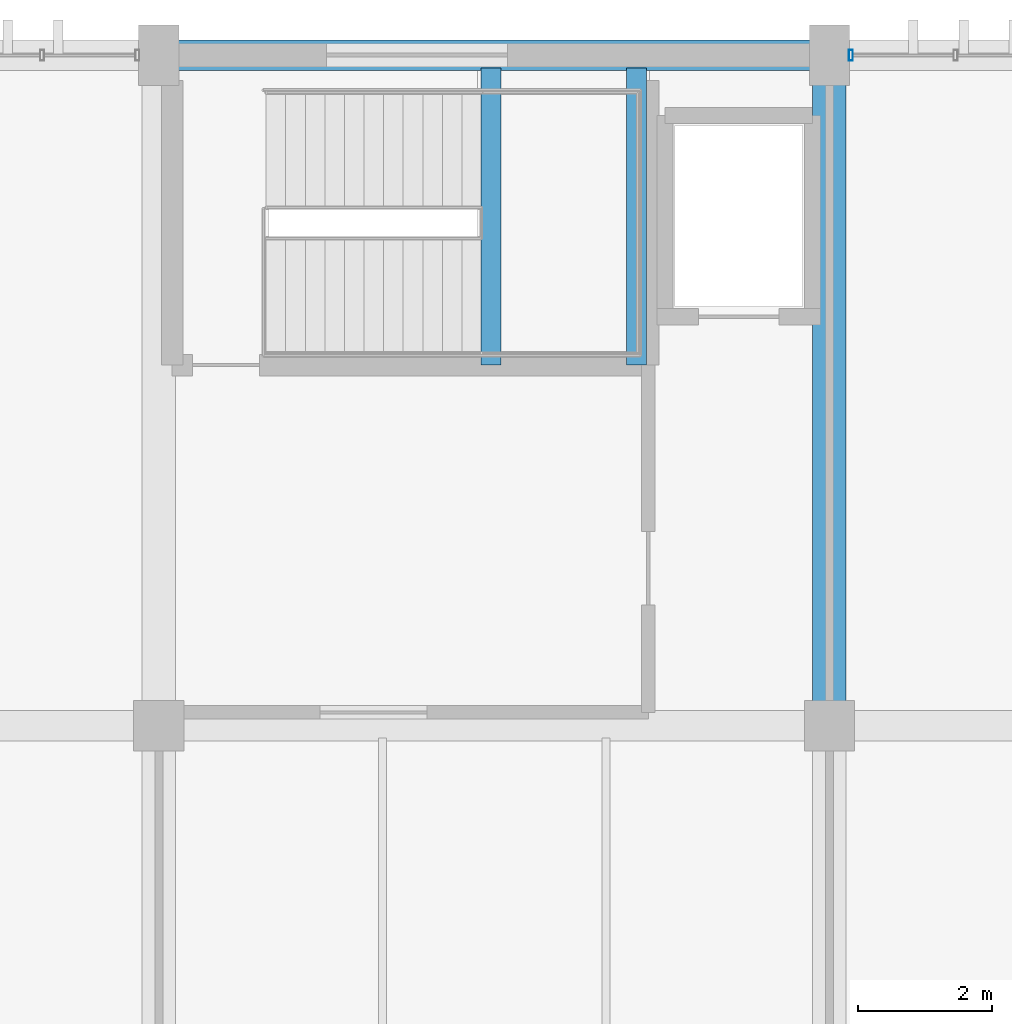
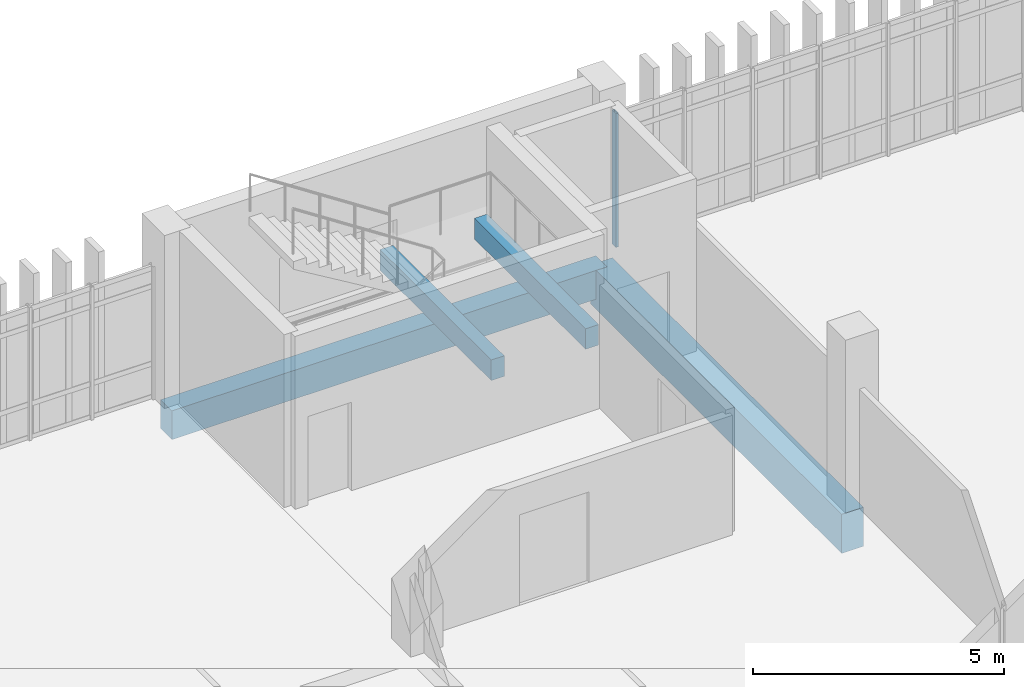
# One storey, part 54 of 111: 4 beams, 1 member, 1 element without a shape of its own.
"""IFC4 building model written with IfcOpenShell, lengths in metres."""

from ifc_helpers import new_model, si_unit, direction, frame, origin, origin_2d, place, context, subcontext, project, spatial, rectangle, hollow_rectangle, extrude, material, layer, layer_set, material_profile, profile_set, type_object, element, aggregate, save


model = new_model("IFC4")

# Units and contexts
model_context = context("Model", 3, precision=1e-05, world=origin(), true_north=direction((0.0, 1.0)))
body_context = subcontext(model_context, "Body", "Model", "MODEL_VIEW")
ifc_project = project(units=[si_unit("LENGTHUNIT", "METRE"), si_unit("AREAUNIT", "SQUARE_METRE"), si_unit("VOLUMEUNIT", "CUBIC_METRE"), si_unit("PLANEANGLEUNIT", "RADIAN"), si_unit("MASSUNIT", "GRAM", prefix="KILO")], contexts=[model_context])

# Site, building, storey
site_placement = place(None, origin())
site = spatial("IfcSite", under=ifc_project, at=site_placement, CompositionType="ELEMENT")
building_placement = place(site_placement, origin())
building = spatial("IfcBuilding", under=site, at=building_placement, Name="Mersad Railyard Sports Hall", CompositionType="ELEMENT")
storey_placement = place(building_placement, frame((0.0, 0.0, 9.0)))
storey = spatial("IfcBuildingStorey", under=building, at=storey_placement, Name="L02", CompositionType="ELEMENT", Elevation=9.0)

# Curtain wall, member
ifc_material_1 = material(Name="Aluminium 6063-T6", Category="aluminium")
ifc_layer = layer(ifc_material_1, 0.159912109375)
ifc_layer_set = layer_set([ifc_layer], Name="Aluminium 6063-T6")
curtain_wall_type = type_object("IfcCurtainWallType", Name="ARC-CW-CW53", PredefinedType="USERDEFINED", material=ifc_layer_set)
curtain_wall_placement = place(storey_placement, origin())
curtain_wall = element("IfcCurtainWall", 1, at=curtain_wall_placement, inside=storey, type_object=curtain_wall_type, Name="Curtain wall CW53-0141", ObjectType="CURTAIN WALL", PredefinedType="USERDEFINED")
ifc_material_profile_1 = material_profile(ifc_material_1, hollow_rectangle(XDim=0.06005859375, YDim=0.159912109375, WallThickness=0.00390625, at=origin_2d()), Name="AL MULLION 60x160x4")
ifc_profile_set_1 = profile_set([ifc_material_profile_1], Name="Aluminium 6063-T6")
member_type = type_object("IfcMemberType", Name="ARC-CW-MUL01", PredefinedType="MULLION", material=ifc_profile_set_1)
member_placement = place(storey_placement, frame((101.320068359375, 115.0, -0.02001953125), z_axis=(0.0, 0.0, 1.0), x_axis=(1.0, 0.0, 0.0)))
member = element("IfcMember", 2, at=member_placement, type_object=member_type, Name="CW53 Mullion 1", PredefinedType="MULLION", context=body_context, shape_type="SweptSolid", body=[
    extrude(hollow_rectangle(XDim=0.06005859375, YDim=0.159912109375, WallThickness=0.00390625, at=origin_2d()), origin(), (0.0, 0.0, 1.0), 3.25),
])
aggregate(curtain_wall, [member])

# Beams
ifc_material_2 = material(Name="Concrete C50/60", Category="concrete")
ifc_material_profile_2 = material_profile(ifc_material_2, rectangle(XDim=0.5, YDim=0.949951171875, at=origin_2d()), Name="RC 500x950")
ifc_profile_set_2 = profile_set([ifc_material_profile_2], Name="Concrete C50/60")
beam_type_1 = type_object("IfcBeamType", Name="STR-BM-B03", PredefinedType="BEAM", material=ifc_profile_set_2)
beam_1_placement = place(storey_placement, frame((101.0, 105.0, -0.77490234375), z_axis=(0.0, 1.0, 0.0), x_axis=(-1.0, 0.0, 0.0)))
element("IfcBeam", 3, at=beam_1_placement, inside=storey, type_object=beam_type_1, Name="Beam B03-1114", PredefinedType="BEAM", context=body_context, shape_type="SweptSolid", body=[
    extrude(rectangle(XDim=0.5, YDim=0.949951171875, at=origin_2d()), origin(), (0.0, 0.0, 1.0), 10.0),
])
ifc_material_3 = material(Name="Concrete C40/50", Category="concrete")
ifc_material_profile_3 = material_profile(ifc_material_3, rectangle(XDim=0.300048828125, YDim=0.5, at=origin_2d()), Name="RC 300x500")
ifc_profile_set_3 = profile_set([ifc_material_profile_3], Name="Concrete C40/50")
beam_type_2 = type_object("IfcBeamType", Name="STR-BM-LN01", PredefinedType="LINTEL", material=ifc_profile_set_3)
for number, where, z_axis, x_axis, name in (
    (4, (95.951904296875, 110.3798828125, 1.669921875), (0.0, 1.0, 0.0), (-1.0, 0.0, 0.0), "Stair ST02D landing beam W"),
    (5, (98.1201171875, 110.3798828125, 1.669921875), (0.0, 1.0, 0.0), (-1.0, 0.0, 0.0), "Stair ST02D landing beam E"),
):
    element("IfcBeam", number, at=place(storey_placement, frame(where, z_axis=z_axis, x_axis=x_axis)), inside=storey, type_object=beam_type_2, Name=name, PredefinedType="LINTEL", context=body_context, shape_type="SweptSolid", body=[
        extrude(rectangle(XDim=0.300048828125, YDim=0.5, at=origin_2d()), origin(), (0.0, 0.0, 1.0), 4.43017578125),
    ])
ifc_material_4 = material(Name="Architectural concrete C40/50", Category="concrete")
ifc_material_profile_4 = material_profile(ifc_material_4, rectangle(XDim=0.449951171875, YDim=0.699951171875, at=origin_2d()), Name="RC 450x700")
ifc_profile_set_4 = profile_set([ifc_material_profile_4], Name="Architectural concrete C40/50")
beam_type_3 = type_object("IfcBeamType", Name="STR-BM-SP01", PredefinedType="SPANDREL", material=ifc_profile_set_4)
beam_2_placement = place(storey_placement, frame((91.0, 115.0, -0.64990234375), z_axis=(1.0, 0.0, 0.0), x_axis=(0.0, 1.0, 0.0)))
element("IfcBeam", 6, at=beam_2_placement, inside=storey, type_object=beam_type_3, Name="Beam SP01-1093", PredefinedType="SPANDREL", context=body_context, shape_type="SweptSolid", body=[
    extrude(rectangle(XDim=0.449951171875, YDim=0.699951171875, at=origin_2d()), origin(), (0.0, 0.0, 1.0), 10.0),
])

save(model, "model.ifc")
